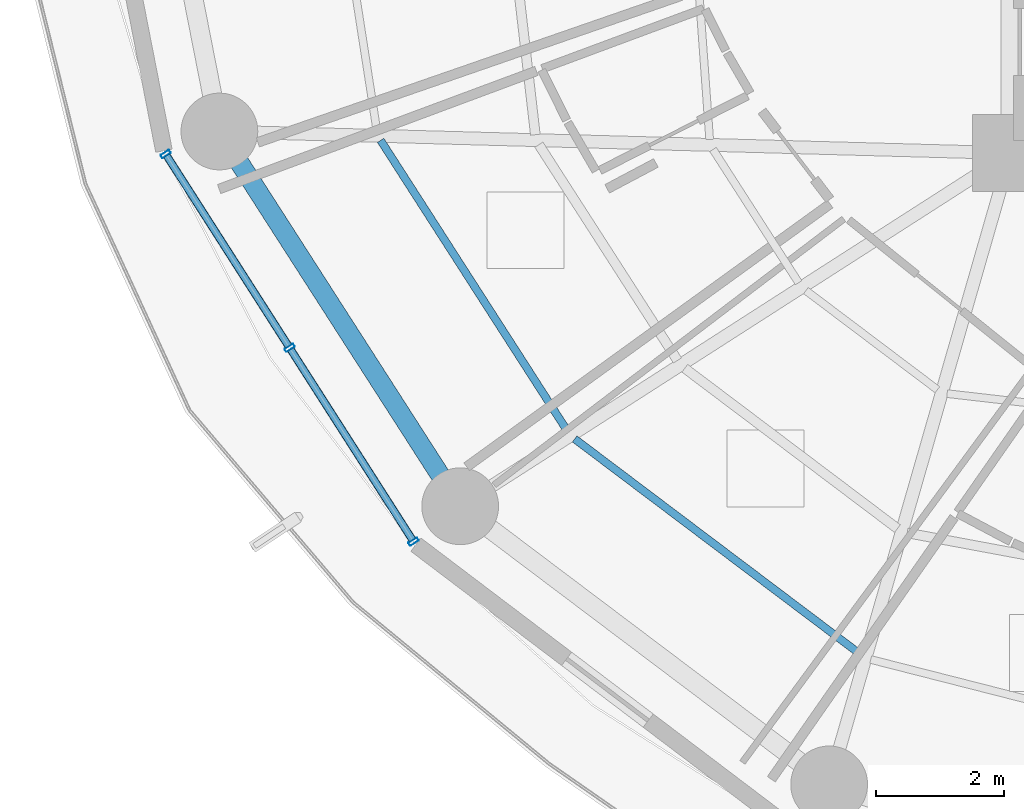
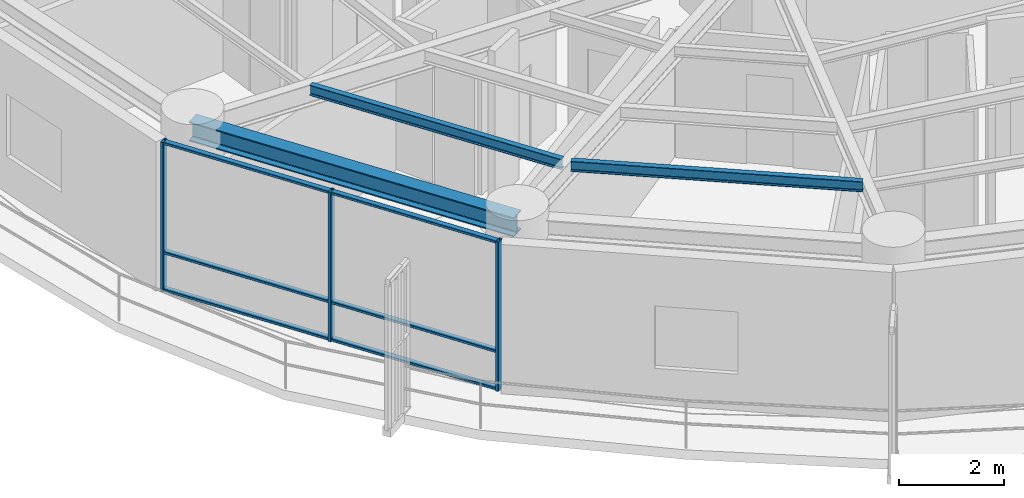
# One storey, part 2 of 29: 9 members, 3 beams, 1 element without a shape of its own.
"""IFC4 building model written with IfcOpenShell, lengths in metres."""

from ifc_helpers import new_model, si_unit, direction, frame, origin, origin_2d, place, context, subcontext, project, spatial, hollow_rectangle, i_section, extrude, material, layer, layer_set, material_profile, profile_set, type_object, element, aggregate, save


model = new_model("IFC4")

# Units and contexts
model_context = context("Model", 3, precision=1e-05, world=origin(), true_north=direction((0.0, 1.0)))
body_context = subcontext(model_context, "Body", "Model", "MODEL_VIEW")
ifc_project = project(units=[si_unit("LENGTHUNIT", "METRE"), si_unit("AREAUNIT", "SQUARE_METRE"), si_unit("VOLUMEUNIT", "CUBIC_METRE"), si_unit("PLANEANGLEUNIT", "RADIAN"), si_unit("MASSUNIT", "GRAM", prefix="KILO")], contexts=[model_context])

# Site, building, storey
site_placement = place(None, origin())
site = spatial("IfcSite", under=ifc_project, at=site_placement, CompositionType="ELEMENT")
building_placement = place(site_placement, origin())
building = spatial("IfcBuilding", under=site, at=building_placement, Name="Kelanora Arch Commons", CompositionType="ELEMENT")
storey_placement = place(building_placement, frame((0.0, 0.0, 135.60009765625)))
storey = spatial("IfcBuildingStorey", under=building, at=storey_placement, Name="L34", CompositionType="ELEMENT", Elevation=135.60009765625)

# Beams
ifc_material_1 = material(Name="Steel S355", Category="steel")
ifc_material_profile_1 = material_profile(ifc_material_1, i_section(OverallWidth=0.1201171875, OverallDepth=0.239990234375, WebThickness=0.006103515625, FlangeThickness=0.009765625, FilletRadius=0.014892578125, at=origin_2d()), Name="IPE240")
ifc_profile_set_1 = profile_set([ifc_material_profile_1], Name="Steel S355")
beam_type_1 = type_object("IfcBeamType", Name="BM-JST-02", PredefinedType="JOIST", material=ifc_profile_set_1)
beam_1_placement = place(storey_placement, frame((56.14794921875, 51.198486328125, 3.369873046875), z_axis=(0.540581678156, -0.841291536414, 0.0), x_axis=(0.841291536414, 0.540581678156, 0.0)))
element("IfcBeam", 1, at=beam_1_placement, inside=storey, type_object=beam_type_1, Name="Secondary Chord Joist BJC-20 L34", PredefinedType="JOIST", context=body_context, shape_type="SweptSolid", body=[
    extrude(i_section(OverallWidth=0.1201171875, OverallDepth=0.239990234375, WebThickness=0.006103515625, FlangeThickness=0.009765625, FilletRadius=0.014892578125, at=origin_2d()), origin(), (0.0, 0.0, 1.0), 5.4013671875),
])
beam_2_placement = place(storey_placement, frame((59.181640625, 46.531494140625, 3.369873046875), z_axis=(0.798493128577, -0.602003923256, 0.0), x_axis=(0.602003923256, 0.798493128577, 0.0)))
element("IfcBeam", 2, at=beam_2_placement, inside=storey, type_object=beam_type_1, Name="Secondary Chord Joist BJC-22 L34", PredefinedType="JOIST", context=body_context, shape_type="SweptSolid", body=[
    extrude(i_section(OverallWidth=0.1201171875, OverallDepth=0.239990234375, WebThickness=0.006103515625, FlangeThickness=0.009765625, FilletRadius=0.014892578125, at=origin_2d()), origin(), (0.0, 0.0, 1.0), 5.608642578125),
])
ifc_material_profile_2 = material_profile(ifc_material_1, i_section(OverallWidth=0.300048828125, OverallDepth=0.449951171875, WebThickness=0.013916015625, FlangeThickness=0.02587890625, FilletRadius=0.027099609375, at=origin_2d()), Name="HEB450")
ifc_profile_set_2 = profile_set([ifc_material_profile_2], Name="Steel S355")
beam_type_2 = type_object("IfcBeamType", Name="BM-SPN-Z3", PredefinedType="SPANDREL", material=ifc_profile_set_2)
beam_3_placement = place(storey_placement, frame((53.62744140625, 51.33740234375, 3.264892578125), z_axis=(0.540576852469, -0.841294637196, 0.0), x_axis=(0.841294637196, 0.540576852469, 0.0)))
element("IfcBeam", 3, at=beam_3_placement, inside=storey, type_object=beam_type_2, Name="Perimeter Spandrel Beam BS-20 L34", PredefinedType="SPANDREL", context=body_context, shape_type="SweptSolid", body=[
    extrude(i_section(OverallWidth=0.300048828125, OverallDepth=0.449951171875, WebThickness=0.013916015625, FlangeThickness=0.02587890625, FilletRadius=0.027099609375, at=origin_2d()), origin(), (0.0, 0.0, 1.0), 6.964111328125),
])

# Curtain wall, members
ifc_material_2 = material(Name="Terracotta ceramic-fritted low-E glass and aluminium", Category="masonry")
ifc_layer = layer(ifc_material_2, 0.175048828125)
ifc_layer_set = layer_set([ifc_layer], Name="Terracotta ceramic-fritted low-E glass and aluminium")
curtain_wall_type = type_object("IfcCurtainWallType", Name="CW-SYS-02", PredefinedType="NOTDEFINED", material=ifc_layer_set)
curtain_wall_placement = place(storey_placement, origin())
curtain_wall = element("IfcCurtainWall", 4, at=curtain_wall_placement, inside=storey, type_object=curtain_wall_type, Name="Unitised Curtain Wall L34-B10", PredefinedType="NOTDEFINED")
ifc_material_3 = material(Name="Powder-coated aluminium terracotta", Category="masonry")
ifc_material_profile_3 = material_profile(ifc_material_3, hollow_rectangle(XDim=0.159912109375, YDim=0.06005859375, WallThickness=0.0048828125, InnerFilletRadius=0.0048828125, OuterFilletRadius=0.010009765625, at=origin_2d()), Name="CWM160x60")
ifc_profile_set_3 = profile_set([ifc_material_profile_3], Name="Powder-coated aluminium terracotta")
member_type_1 = type_object("IfcMemberType", Name="CWM-STD", PredefinedType="MULLION", material=ifc_profile_set_3)
member_1_placement = place(storey_placement, frame((52.787109375, 50.98486328125, 0.0), z_axis=(0.0, 0.0, 1.0), x_axis=(0.842422846546, 0.538816988983, 0.0)))
member_1 = element("IfcMember", 5, at=member_1_placement, type_object=member_type_1, Name="CW-02 mullion 1", PredefinedType="MULLION", context=body_context, shape_type="SweptSolid", body=[
    extrude(hollow_rectangle(XDim=0.159912109375, YDim=0.06005859375, WallThickness=0.0048828125, InnerFilletRadius=0.0048828125, OuterFilletRadius=0.010009765625, at=origin_2d()), origin(), (0.0, 0.0, 1.0), 3.474853515625),
])
member_2_placement = place(storey_placement, frame((54.72509765625, 47.954833984375, 0.0), z_axis=(0.0, 0.0, 1.0), x_axis=(0.842422846546, 0.538816988983, 0.0)))
member_2 = element("IfcMember", 6, at=member_2_placement, type_object=member_type_1, Name="CW-02 mullion 2", PredefinedType="MULLION", context=body_context, shape_type="SweptSolid", body=[
    extrude(hollow_rectangle(XDim=0.159912109375, YDim=0.06005859375, WallThickness=0.0048828125, InnerFilletRadius=0.0048828125, OuterFilletRadius=0.010009765625, at=origin_2d()), origin(), (0.0, 0.0, 1.0), 3.474853515625),
])
member_3_placement = place(storey_placement, frame((56.6630859375, 44.925048828125, 0.0), z_axis=(0.0, 0.0, 1.0), x_axis=(0.842422846546, 0.538816988983, 0.0)))
member_3 = element("IfcMember", 7, at=member_3_placement, type_object=member_type_1, Name="CW-02 mullion 3", PredefinedType="MULLION", context=body_context, shape_type="SweptSolid", body=[
    extrude(hollow_rectangle(XDim=0.159912109375, YDim=0.06005859375, WallThickness=0.0048828125, InnerFilletRadius=0.0048828125, OuterFilletRadius=0.010009765625, at=origin_2d()), origin(), (0.0, 0.0, 1.0), 3.474853515625),
])
ifc_material_profile_4 = material_profile(ifc_material_3, hollow_rectangle(XDim=0.1201171875, YDim=0.06005859375, WallThickness=0.0048828125, InnerFilletRadius=0.0048828125, OuterFilletRadius=0.010009765625, at=origin_2d()), Name="CWT120x60")
ifc_profile_set_4 = profile_set([ifc_material_profile_4], Name="Powder-coated aluminium terracotta")
member_type_2 = type_object("IfcMemberType", Name="CWT-STD", PredefinedType="USERDEFINED", material=ifc_profile_set_4)
member_4_placement = place(storey_placement, frame((52.80322265625, 50.959716796875, 0.02978515625), z_axis=(0.53883037555, -0.842414284295, 0.0), x_axis=(0.842414284295, 0.53883037555, 0.0)))
member_4 = element("IfcMember", 8, at=member_4_placement, type_object=member_type_2, Name="CW-02 transom 1.1", ObjectType="TRANSOM", PredefinedType="USERDEFINED", context=body_context, shape_type="SweptSolid", body=[
    extrude(hollow_rectangle(XDim=0.1201171875, YDim=0.06005859375, WallThickness=0.0048828125, InnerFilletRadius=0.0048828125, OuterFilletRadius=0.010009765625, at=origin_2d()), origin(), (0.0, 0.0, 1.0), 3.536865234375),
])
member_5_placement = place(storey_placement, frame((52.80322265625, 50.959716796875, 0.89990234375), z_axis=(0.53883037555, -0.842414284295, 0.0), x_axis=(0.842414284295, 0.53883037555, 0.0)))
member_5 = element("IfcMember", 9, at=member_5_placement, type_object=member_type_2, Name="CW-02 transom 1.2", ObjectType="TRANSOM", PredefinedType="USERDEFINED", context=body_context, shape_type="SweptSolid", body=[
    extrude(hollow_rectangle(XDim=0.1201171875, YDim=0.06005859375, WallThickness=0.0048828125, InnerFilletRadius=0.0048828125, OuterFilletRadius=0.010009765625, at=origin_2d()), origin(), (0.0, 0.0, 1.0), 3.536865234375),
])
member_6_placement = place(storey_placement, frame((52.80322265625, 50.959716796875, 3.44482421875), z_axis=(0.53883037555, -0.842414284295, 0.0), x_axis=(0.842414284295, 0.53883037555, 0.0)))
member_6 = element("IfcMember", 10, at=member_6_placement, type_object=member_type_2, Name="CW-02 transom 1.3", ObjectType="TRANSOM", PredefinedType="USERDEFINED", context=body_context, shape_type="SweptSolid", body=[
    extrude(hollow_rectangle(XDim=0.1201171875, YDim=0.06005859375, WallThickness=0.0048828125, InnerFilletRadius=0.0048828125, OuterFilletRadius=0.010009765625, at=origin_2d()), origin(), (0.0, 0.0, 1.0), 3.536865234375),
])
member_7_placement = place(storey_placement, frame((54.7412109375, 47.9296875, 0.02978515625), z_axis=(0.53883037555, -0.842414284295, 0.0), x_axis=(0.842414284295, 0.53883037555, 0.0)))
member_7 = element("IfcMember", 11, at=member_7_placement, type_object=member_type_2, Name="CW-02 transom 2.1", ObjectType="TRANSOM", PredefinedType="USERDEFINED", context=body_context, shape_type="SweptSolid", body=[
    extrude(hollow_rectangle(XDim=0.1201171875, YDim=0.06005859375, WallThickness=0.0048828125, InnerFilletRadius=0.0048828125, OuterFilletRadius=0.010009765625, at=origin_2d()), origin(), (0.0, 0.0, 1.0), 3.536865234375),
])
member_8_placement = place(storey_placement, frame((54.7412109375, 47.9296875, 0.89990234375), z_axis=(0.53883037555, -0.842414284295, 0.0), x_axis=(0.842414284295, 0.53883037555, 0.0)))
member_8 = element("IfcMember", 12, at=member_8_placement, type_object=member_type_2, Name="CW-02 transom 2.2", ObjectType="TRANSOM", PredefinedType="USERDEFINED", context=body_context, shape_type="SweptSolid", body=[
    extrude(hollow_rectangle(XDim=0.1201171875, YDim=0.06005859375, WallThickness=0.0048828125, InnerFilletRadius=0.0048828125, OuterFilletRadius=0.010009765625, at=origin_2d()), origin(), (0.0, 0.0, 1.0), 3.536865234375),
])
member_9_placement = place(storey_placement, frame((54.7412109375, 47.9296875, 3.44482421875), z_axis=(0.53883037555, -0.842414284295, 0.0), x_axis=(0.842414284295, 0.53883037555, 0.0)))
member_9 = element("IfcMember", 13, at=member_9_placement, type_object=member_type_2, Name="CW-02 transom 2.3", ObjectType="TRANSOM", PredefinedType="USERDEFINED", context=body_context, shape_type="SweptSolid", body=[
    extrude(hollow_rectangle(XDim=0.1201171875, YDim=0.06005859375, WallThickness=0.0048828125, InnerFilletRadius=0.0048828125, OuterFilletRadius=0.010009765625, at=origin_2d()), origin(), (0.0, 0.0, 1.0), 3.536865234375),
])
aggregate(curtain_wall, [member_1, member_2, member_3, member_4, member_5, member_6, member_7, member_8, member_9])

save(model, "model.ifc")
